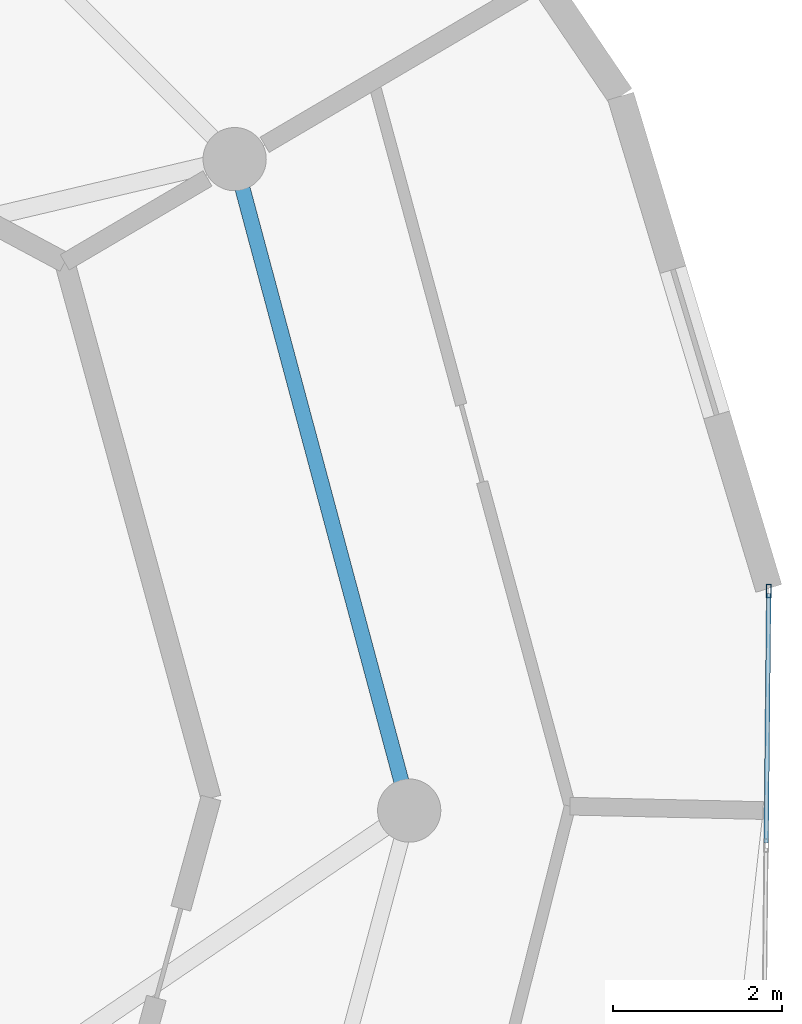
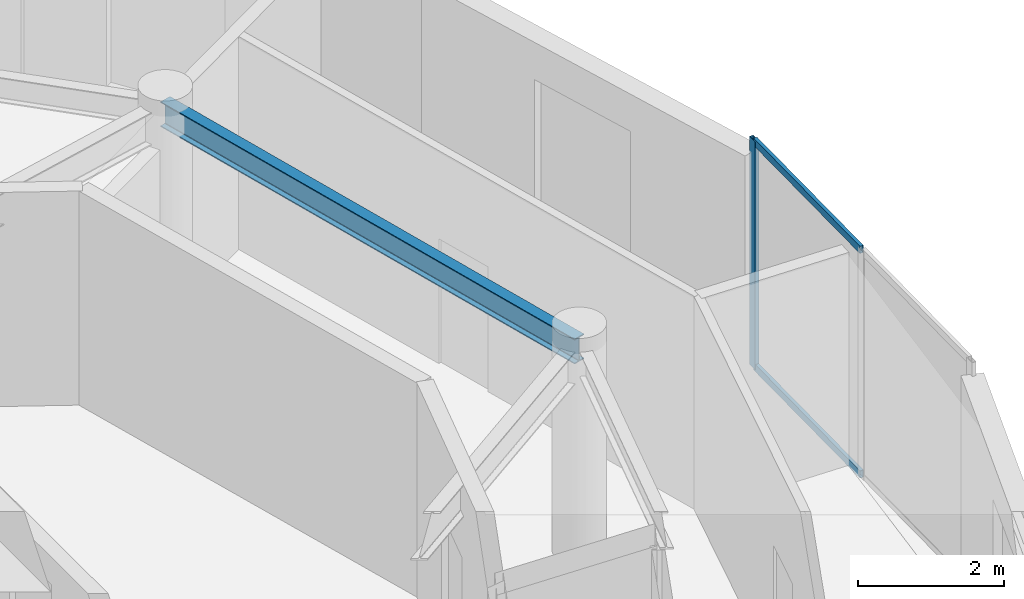
# One storey, part 10 of 19: 3 members, 1 beam, 1 element without a shape of its own.
"""IFC4 building model written with IfcOpenShell, lengths in metres."""

from ifc_helpers import new_model, si_unit, direction, frame, origin, origin_2d, place, context, subcontext, project, spatial, hollow_rectangle, i_section, extrude, source, transform, mapped, material, layer, layer_set, material_profile, profile_set, type_object, element, aggregate, save


model = new_model("IFC4")

# Units and contexts
model_context = context("Model", 3, precision=1e-05, world=origin(), true_north=direction((0.0, 1.0)))
body_context = subcontext(model_context, "Body", "Model", "MODEL_VIEW")
ifc_project = project(units=[si_unit("LENGTHUNIT", "METRE"), si_unit("AREAUNIT", "SQUARE_METRE"), si_unit("VOLUMEUNIT", "CUBIC_METRE"), si_unit("PLANEANGLEUNIT", "RADIAN"), si_unit("MASSUNIT", "GRAM", prefix="KILO")], contexts=[model_context])

# Site, building, storey
site_placement = place(None, origin())
site = spatial("IfcSite", under=ifc_project, at=site_placement, CompositionType="ELEMENT")
building_placement = place(site_placement, origin())
building = spatial("IfcBuilding", under=site, at=building_placement, Name="Solvirekh Grand Hotel", CompositionType="ELEMENT")
storey_placement = place(building_placement, frame((0.0, 0.0, 254.39990234375)))
storey = spatial("IfcBuildingStorey", under=building, at=storey_placement, Name="L66", CompositionType="ELEMENT", Elevation=254.39990234375)

# Beam
ifc_material_1 = material(Name="Steel S355", Category="steel")
ifc_material_profile_1 = material_profile(ifc_material_1, i_section(OverallWidth=0.180908203125, OverallDepth=0.4169921875, WebThickness=0.010009765625, FlangeThickness=0.01611328125, FilletRadius=0.011962890625, at=origin_2d()), Name="W410X85")
ifc_profile_set_1 = profile_set([ifc_material_profile_1], Name="Steel S355")
beam_type = type_object("IfcBeamType", Name="Spandrel_Ring_W410", PredefinedType="SPANDREL", material=ifc_profile_set_1)
beam_placement = place(storey_placement, frame((15.449951171875, 0.0, 3.362060546875), z_axis=(-0.258834757072, 0.965921616143, 0.0), x_axis=(-0.965921616143, -0.258834757072, 0.0)))
element("IfcBeam", 1, at=beam_placement, inside=storey, type_object=beam_type, Name="L66 perimeter spandrel beam 1", PredefinedType="SPANDREL", context=body_context, shape_type="SweptSolid", body=[
    extrude(i_section(OverallWidth=0.180908203125, OverallDepth=0.4169921875, WebThickness=0.010009765625, FlangeThickness=0.01611328125, FilletRadius=0.011962890625, at=origin_2d()), origin(), (0.0, 0.0, 1.0), 7.99755859375),
])

# Curtain wall, members
ifc_material_2 = material(Name="Anodized Bronze Aluminium 6063-T6", Category="aluminium")
ifc_layer = layer(ifc_material_2, 0.159912109375)
ifc_layer_set = layer_set([ifc_layer], Name="Anodized Bronze Aluminium 6063-T6")
curtain_wall_type = type_object("IfcCurtainWallType", Name="CW_Sys4_HighZoneFlushBronzeCW", PredefinedType="NOTDEFINED", material=ifc_layer_set)
curtain_wall_placement = place(storey_placement, origin())
curtain_wall = element("IfcCurtainWall", 2, at=curtain_wall_placement, inside=storey, type_object=curtain_wall_type, Name="L66 unitised bronze-glass curtain wall CW-L66-C05", PredefinedType="NOTDEFINED")
ifc_material_profile_2 = material_profile(ifc_material_2, hollow_rectangle(XDim=0.06005859375, YDim=0.159912109375, WallThickness=0.0048828125, at=origin_2d()), Name="ALU RHS 160X60X5")
ifc_profile_set_2 = profile_set([ifc_material_profile_2], Name="Anodized Bronze Aluminium 6063-T6")
member_type_1 = type_object("IfcMemberType", Name="CWMullion_Sys4", PredefinedType="MULLION", material=ifc_profile_set_2)
shared_shape_1 = source(origin(), body_context, "Body", "SweptSolid", [
    extrude(hollow_rectangle(XDim=0.06005859375, YDim=0.159912109375, WallThickness=0.0048828125, at=origin_2d()), origin(), (0.0, 0.0, 1.0), 3.800048828125),
])
member_1_placement = place(storey_placement, frame((19.713623046875, 2.60498046875, 0.0), z_axis=(0.0, 0.0, 1.0), x_axis=(-0.999948266452, 0.010171746098, 0.0)))
member_1 = element("IfcMember", 3, at=member_1_placement, type_object=member_type_1, Name="U04 mullion 3", PredefinedType="MULLION", context=body_context, shape_type="MappedRepresentation", body=[
    mapped(shared_shape_1, transform((0.0, 0.0, 0.0), x_axis=(1.0, 0.0, 0.0), y_axis=(0.0, 1.0, 0.0), z_axis=(0.0, 0.0, 1.0), scale=1.0)),
])
ifc_material_profile_3 = material_profile(ifc_material_2, hollow_rectangle(XDim=0.054931640625, YDim=0.1201171875, WallThickness=0.00390625, at=origin_2d()), Name="ALU RHS 120X55X4")
ifc_profile_set_3 = profile_set([ifc_material_profile_3], Name="Anodized Bronze Aluminium 6063-T6")
member_type_2 = type_object("IfcMemberType", Name="CWTransom_Sys4", PredefinedType="USERDEFINED", material=ifc_profile_set_3)
shared_shape_2 = source(origin(), body_context, "Body", "SweptSolid", [
    extrude(hollow_rectangle(XDim=0.054931640625, YDim=0.1201171875, WallThickness=0.00390625, at=origin_2d()), origin(), (0.0, 0.0, 1.0), 2.957763671875),
])
member_2_placement = place(storey_placement, frame((19.683349609375, -0.382568359375, 0.027587890625), z_axis=(0.010153018011, 0.999948456784, 0.0), x_axis=(-0.999948456784, 0.010153018011, 0.0)))
member_2 = element("IfcMember", 4, at=member_2_placement, type_object=member_type_2, Name="U04 transom 2.1", ObjectType="TRANSOM", PredefinedType="USERDEFINED", context=body_context, shape_type="MappedRepresentation", body=[
    mapped(shared_shape_2, transform((0.0, 0.0, 0.0), x_axis=(1.0, 0.0, 0.0), y_axis=(0.0, 1.0, 0.0), z_axis=(0.0, 0.0, 1.0), scale=1.0)),
])
member_3_placement = place(storey_placement, frame((19.683349609375, -0.382568359375, 3.772705078125), z_axis=(0.010153018011, 0.999948456784, 0.0), x_axis=(-0.999948456784, 0.010153018011, 0.0)))
member_3 = element("IfcMember", 5, at=member_3_placement, type_object=member_type_2, Name="U04 transom 2.2", ObjectType="TRANSOM", PredefinedType="USERDEFINED", context=body_context, shape_type="MappedRepresentation", body=[
    mapped(shared_shape_2, transform((0.0, 0.0, 0.0), x_axis=(1.0, 0.0, 0.0), y_axis=(0.0, 1.0, 0.0), z_axis=(0.0, 0.0, 1.0), scale=1.0)),
])
aggregate(curtain_wall, [member_1, member_2, member_3])

save(model, "model.ifc")
